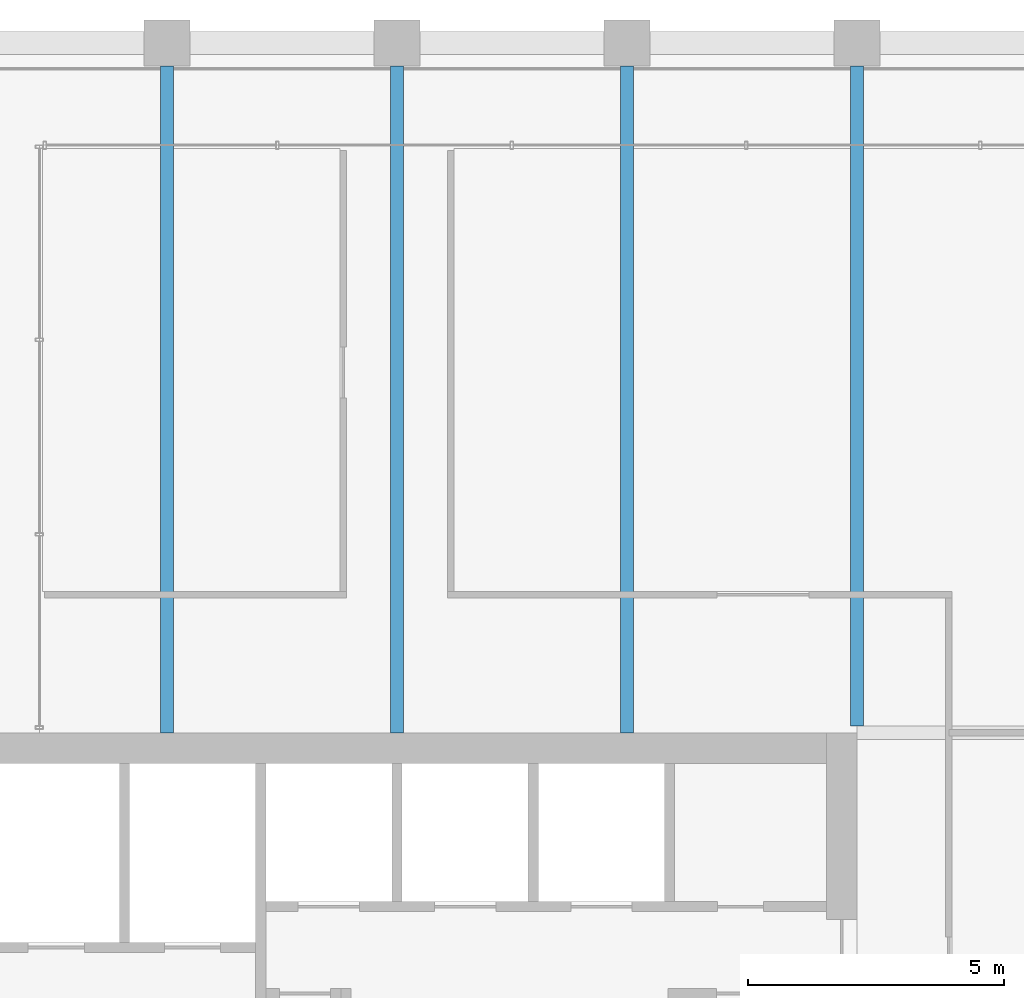
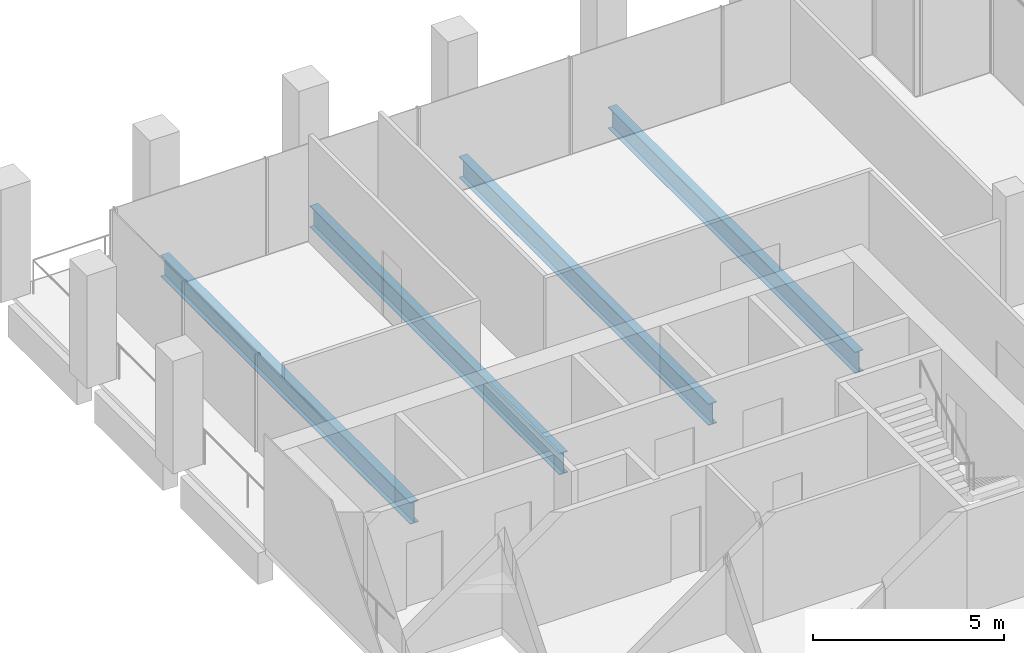
# One storey, part 22 of 40: 4 beams.
"""IFC4 building model written with IfcOpenShell, lengths in metres."""

from ifc_helpers import new_model, si_unit, direction, frame, origin, origin_2d, place, context, subcontext, project, spatial, i_section, extrude, material, material_profile, profile_set, type_object, element, save


model = new_model("IFC4")

# Units and contexts
model_context = context("Model", 3, precision=1e-05, world=origin(), true_north=direction((0.0, 1.0)))
body_context = subcontext(model_context, "Body", "Model", "MODEL_VIEW")
ifc_project = project(units=[si_unit("LENGTHUNIT", "METRE"), si_unit("AREAUNIT", "SQUARE_METRE"), si_unit("VOLUMEUNIT", "CUBIC_METRE"), si_unit("PLANEANGLEUNIT", "RADIAN"), si_unit("MASSUNIT", "GRAM", prefix="KILO")], contexts=[model_context])

# Site, building, storey
site_placement = place(None, origin())
site = spatial("IfcSite", under=ifc_project, at=site_placement, CompositionType="ELEMENT")
building_placement = place(site_placement, origin())
building = spatial("IfcBuilding", under=site, at=building_placement, Name="Altepetl Exchange Towers", CompositionType="ELEMENT")
storey_placement = place(building_placement, frame((0.0, 0.0, 158.199951171875)))
storey = spatial("IfcBuildingStorey", under=building, at=storey_placement, Name="L39", CompositionType="ELEMENT", Elevation=158.199951171875)

# Beams
ifc_material = material(Name="Steel S355", Category="steel")
ifc_material_profile = material_profile(ifc_material, i_section(OverallWidth=0.25390625, OverallDepth=0.68408203125, WebThickness=0.012451171875, FlangeThickness=0.018798828125, at=origin_2d()), Name="W27X94")
ifc_profile_set = profile_set([ifc_material_profile], Name="Steel S355")
beam_type = type_object("IfcBeamType", Name="Floor beam W27X94", PredefinedType="BEAM", material=ifc_profile_set)
for number, where, z_axis, x_axis, name in (
    (1, (45.0, 58.5, -0.491943359375), (0.0, 1.0, 0.0), (-1.0, 0.0, 0.0), "bm:A:L39:000"),
    (2, (49.5, 58.5, -0.491943359375), (0.0, 1.0, 0.0), (-1.0, 0.0, 0.0), "bm:A:L39:001"),
    (3, (54.0, 58.5, -0.491943359375), (0.0, 1.0, 0.0), (-1.0, 0.0, 0.0), "bm:A:L39:002"),
):
    element("IfcBeam", number, at=place(storey_placement, frame(where, z_axis=z_axis, x_axis=x_axis)), inside=storey, type_object=beam_type, Name=name, PredefinedType="BEAM", context=body_context, shape_type="SweptSolid", body=[
        extrude(i_section(OverallWidth=0.25390625, OverallDepth=0.68408203125, WebThickness=0.012451171875, FlangeThickness=0.018798828125, at=origin_2d()), origin(), (0.0, 0.0, 1.0), 13.050048828125),
    ])
beam_placement = place(storey_placement, frame((58.5, 58.634033203125, -0.491943359375), z_axis=(0.0, 1.0, 0.0), x_axis=(-1.0, 0.0, 0.0)))
element("IfcBeam", 4, at=beam_placement, inside=storey, type_object=beam_type, Name="bm:A:L39:003", PredefinedType="BEAM", context=body_context, shape_type="SweptSolid", body=[
    extrude(i_section(OverallWidth=0.25390625, OverallDepth=0.68408203125, WebThickness=0.012451171875, FlangeThickness=0.018798828125, at=origin_2d()), origin(), (0.0, 0.0, 1.0), 12.916015625),
])

save(model, "model.ifc")
